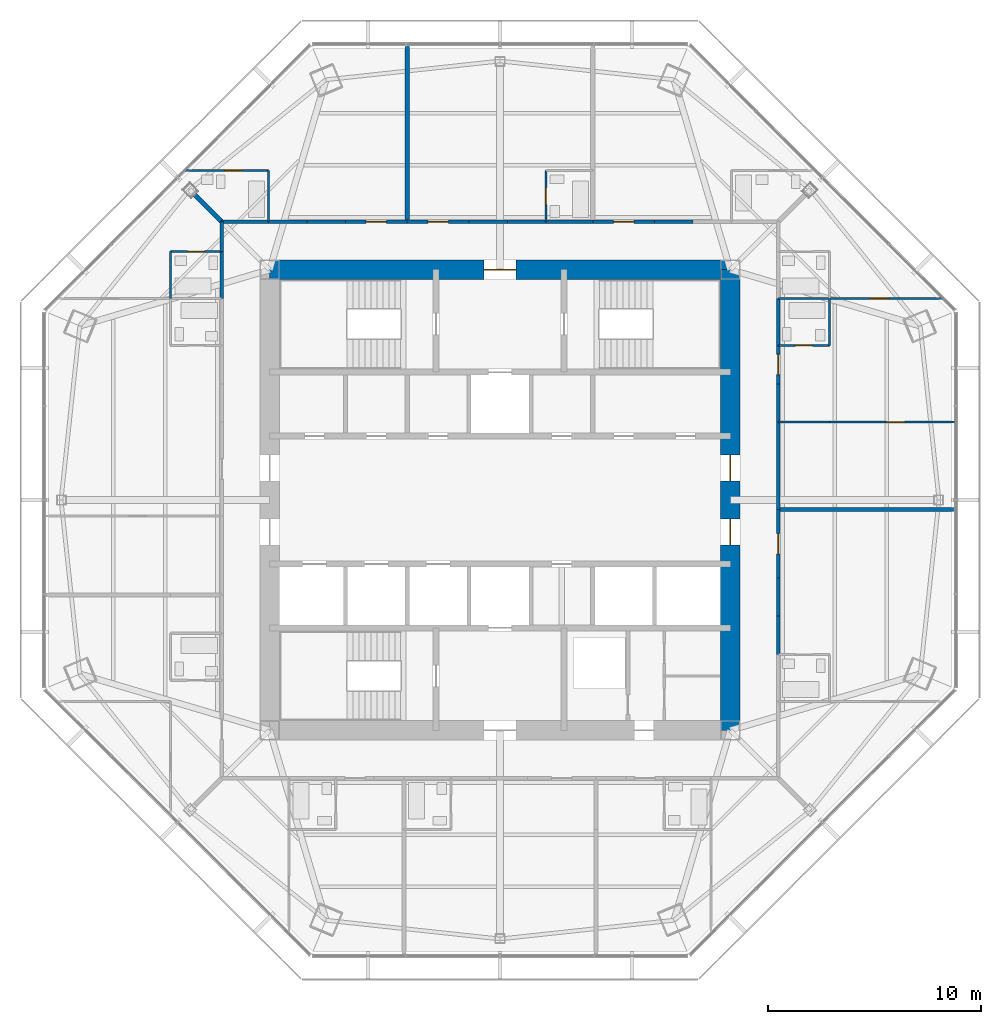
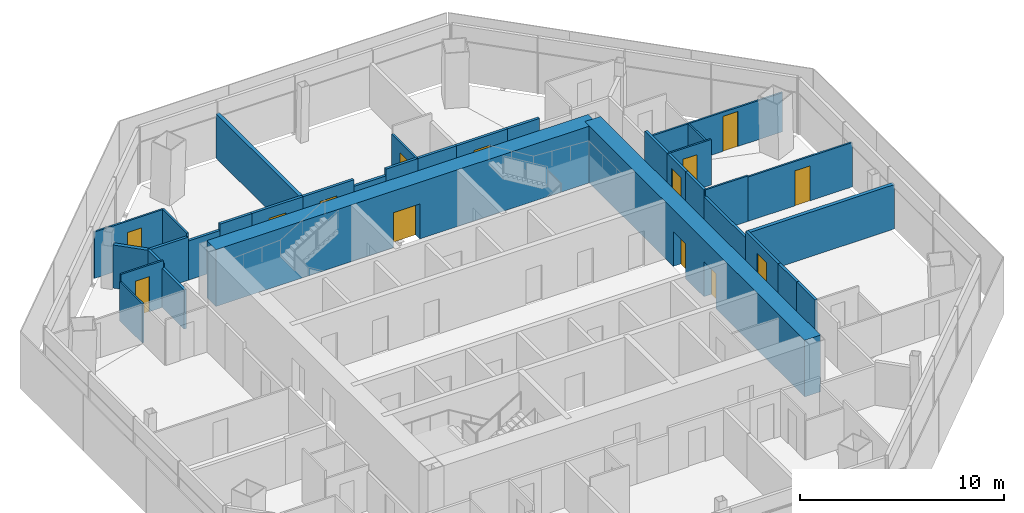
# One storey, part 12 of 15: 35 walls, 14 doors, 14 openings.
"""IFC4 building model written with IfcOpenShell, lengths in metres."""

from ifc_helpers import new_model, si_unit, direction, frame, frame_2d, origin, place, context, subcontext, project, spatial, rectangle, extrude, material, layer, layer_set, type_object, element, fill, save


model = new_model("IFC4")

# Units and contexts
model_context = context("Model", 3, precision=1e-05, world=origin(), true_north=direction((0.0, 1.0)))
body_context = subcontext(model_context, "Body", "Model", "MODEL_VIEW")
ifc_project = project(units=[si_unit("LENGTHUNIT", "METRE"), si_unit("AREAUNIT", "SQUARE_METRE"), si_unit("VOLUMEUNIT", "CUBIC_METRE"), si_unit("PLANEANGLEUNIT", "RADIAN"), si_unit("MASSUNIT", "GRAM", prefix="KILO")], contexts=[model_context])

# Site, building, storey
site_placement = place(None, origin())
site = spatial("IfcSite", under=ifc_project, at=site_placement, CompositionType="ELEMENT")
building_placement = place(site_placement, origin())
building = spatial("IfcBuilding", under=site, at=building_placement, Name="Mashrafa Tower", CompositionType="ELEMENT")
storey_placement = place(building_placement, frame((0.0, 0.0, 234.60009765625)))
storey = spatial("IfcBuildingStorey", under=building, at=storey_placement, Name="L55", CompositionType="ELEMENT", Elevation=234.60009765625)

# Walls
ifc_material_1 = material(Name="Gypsum board on steel studs", Category="steel")
ifc_layer_1 = layer(ifc_material_1, 0.199951171875)
ifc_layer_set_1 = layer_set([ifc_layer_1], Name="Acoustic partition 200 1 hr")
wall_type_1 = type_object("IfcWallType", Name="Acoustic partition 200 1 hr", PredefinedType="PARTITIONING", material=ifc_layer_set_1)
for number, where, z_axis, x_axis, name in (
    (1, (21.360107421875, -0.449951171875, 0.0), (0.0, 0.0, 1.0), (-1.0, 0.0, 0.0), "Acoustic wall L55-051"),
    (2, (-4.35009765625, 21.360107421875, 0.0), (0.0, 0.0, 1.0), (0.0, -1.0, 0.0), "Acoustic wall L55-067"),
):
    element("IfcWall", number, at=place(storey_placement, frame(where, z_axis=z_axis, x_axis=x_axis)), inside=storey, type_object=wall_type_1, Name=name, PredefinedType="PARTITIONING", context=body_context, shape_type="SweptSolid", body=[
        extrude(rectangle(XDim=8.31005859375, YDim=0.199951171875, at=frame_2d((4.155029296875, 0.0))), origin(), (0.0, 0.0, 1.0), 2.66162109375),
    ])
wall_1_placement = place(storey_placement, frame((-14.310302734375, 14.310302734375, 0.0), z_axis=(0.0, 0.0, 1.0), x_axis=(0.707106781187, -0.707106781187, 0.0)))
element("IfcWall", 3, at=wall_1_placement, inside=storey, type_object=wall_type_1, Name="Acoustic wall L55-070", PredefinedType="PARTITIONING", context=body_context, shape_type="SweptSolid", body=[
    extrude(rectangle(XDim=1.7822265625, YDim=0.199951171875, at=frame_2d((0.89111328125, 0.0))), origin(), (0.0, 0.0, 1.0), 2.582763671875),
])

# Wall, openings, doors
ifc_material_2 = material(Name="Concrete C50/60", Category="concrete")
ifc_layer_2 = layer(ifc_material_2, 0.89990234375)
ifc_layer_set_2 = layer_set([ifc_layer_2], Name="Core wall 900 C50/60")
wall_type_2 = type_object("IfcWallType", Name="Core wall 900 C50/60", PredefinedType="SOLIDWALL", material=ifc_layer_set_2)
wall_2_placement = place(storey_placement, frame((10.800048828125, -10.800048828125, 0.0), z_axis=(0.0, 0.0, 1.0), x_axis=(0.0, 1.0, 0.0)))
wall_2 = element("IfcWall", 4, at=wall_2_placement, inside=storey, type_object=wall_type_2, Name="Core wall CW-E L55", PredefinedType="SOLIDWALL", context=body_context, shape_type="SweptSolid", body=[
    extrude(rectangle(XDim=21.60009765625, YDim=0.89990234375, at=frame_2d((10.800048828125, 0.0))), origin(), (0.0, 0.0, 1.0), 3.39990234375),
])
opening_1_placement = place(wall_2_placement, frame((11.699951171875, 0.0, 0.0)))
opening_1 = element("IfcOpeningElement", 5, at=opening_1_placement, cuts=wall_2, Name="Opening 55.031", PredefinedType="OPENING", context=body_context, shape_type="SweptSolid", body=[
    extrude(rectangle(XDim=1.199951171875, YDim=2.10009765625, at=frame_2d((0.60009765625, 1.050048828125))), frame((0.0, 0.4599609375, 0.0), z_axis=(0.0, -1.0, 0.0), x_axis=(1.0, 0.0, 0.0)), (0.0, 0.0, 1.0), 0.919921875),
])
opening_2_placement = place(wall_2_placement, frame((8.699951171875, 0.0, 0.0)))
opening_2 = element("IfcOpeningElement", 6, at=opening_2_placement, cuts=wall_2, Name="Opening 55.033", PredefinedType="OPENING", context=body_context, shape_type="SweptSolid", body=[
    extrude(rectangle(XDim=1.199951171875, YDim=2.10009765625, at=frame_2d((0.60009765625, 1.050048828125))), frame((0.0, 0.4599609375, 0.0), z_axis=(0.0, -1.0, 0.0), x_axis=(1.0, 0.0, 0.0)), (0.0, 0.0, 1.0), 0.919921875),
])
ifc_material_3 = material(Name="Steel door", Category="steel")
door_type_1 = type_object("IfcDoorType", Name="Lift hall door 1200 x 2100 90 min", OperationType="USERDEFINED", PredefinedType="DOOR", material=ifc_material_3)
door_1_placement = place(opening_1_placement, frame((1.199951171875, 0.0, 0.0), z_axis=(0.0, 0.0, 1.0), x_axis=(-1.0, 0.0, 0.0)))
door_1 = element("IfcDoor", 7, at=door_1_placement, inside=storey, type_object=door_type_1, Name="Lift hall door east L55", OperationType="SINGLE_SWING_LEFT", OverallHeight=2.10009765625, OverallWidth=1.199951171875, PredefinedType="DOOR", context=body_context, shape_type="SweptSolid", body=[
    extrude(rectangle(XDim=1.199951171875, YDim=2.10009765625, at=frame_2d((0.60009765625, 1.050048828125))), frame((0.0, 0.02490234375, 0.0), z_axis=(0.0, -1.0, 0.0), x_axis=(1.0, 0.0, 0.0)), (0.0, 0.0, 1.0), 0.050048828125),
])
fill(opening_1, door_1)
door_2_placement = place(opening_2_placement, frame((1.199951171875, 0.0, 0.0), z_axis=(0.0, 0.0, 1.0), x_axis=(-1.0, 0.0, 0.0)))
door_2 = element("IfcDoor", 8, at=door_2_placement, inside=storey, type_object=door_type_1, Name="Lift hall door east L55", OperationType="SINGLE_SWING_RIGHT", OverallHeight=2.10009765625, OverallWidth=1.199951171875, PredefinedType="DOOR", context=body_context, shape_type="SweptSolid", body=[
    extrude(rectangle(XDim=1.199951171875, YDim=2.10009765625, at=frame_2d((0.60009765625, 1.050048828125))), frame((0.0, 0.02490234375, 0.0), z_axis=(0.0, -1.0, 0.0), x_axis=(1.0, 0.0, 0.0)), (0.0, 0.0, 1.0), 0.050048828125),
])
fill(opening_2, door_2)

# Wall, opening, door
wall_3_placement = place(storey_placement, frame((10.800048828125, 10.800048828125, 0.0), z_axis=(0.0, 0.0, 1.0), x_axis=(-1.0, 0.0, 0.0)))
wall_3 = element("IfcWall", 9, at=wall_3_placement, inside=storey, type_object=wall_type_2, Name="Core wall CW-N L55", PredefinedType="SOLIDWALL", context=body_context, shape_type="SweptSolid", body=[
    extrude(rectangle(XDim=21.60009765625, YDim=0.89990234375, at=frame_2d((10.800048828125, 0.0))), origin(), (0.0, 0.0, 1.0), 3.39990234375),
])
opening_3_placement = place(wall_3_placement, frame((10.050048828125, 0.0, 0.0)))
opening_3 = element("IfcOpeningElement", 10, at=opening_3_placement, cuts=wall_3, Name="Opening 55.035", PredefinedType="OPENING", context=body_context, shape_type="SweptSolid", body=[
    extrude(rectangle(XDim=1.5, YDim=2.10009765625, at=frame_2d((0.75, 1.050048828125))), frame((0.0, 0.4599609375, 0.0), z_axis=(0.0, -1.0, 0.0), x_axis=(1.0, 0.0, 0.0)), (0.0, 0.0, 1.0), 0.919921875),
])
ifc_material_4 = material(Name="Steel door", Category="steel")
door_type_2 = type_object("IfcDoorType", Name="Lobby door pair 1500 x 2100 90 min", OperationType="DOUBLE_DOOR_SINGLE_SWING", PredefinedType="DOOR", material=ifc_material_4)
door_3_placement = place(opening_3_placement, origin())
door_3 = element("IfcDoor", 11, at=door_3_placement, inside=storey, type_object=door_type_2, Name="Fire-fighting lobby F1 door L55", OperationType="DOUBLE_DOOR_SINGLE_SWING", OverallHeight=2.10009765625, OverallWidth=1.5, PredefinedType="DOOR", context=body_context, shape_type="SweptSolid", body=[
    extrude(rectangle(XDim=1.5, YDim=2.10009765625, at=frame_2d((0.75, 1.050048828125))), frame((0.0, 0.02490234375, 0.0), z_axis=(0.0, -1.0, 0.0), x_axis=(1.0, 0.0, 0.0)), (0.0, 0.0, 1.0), 0.050048828125),
])
fill(opening_3, door_3)

# Walls
ifc_material_5 = material(Name="Gypsum board on steel studs", Category="steel")
ifc_layer_3 = layer(ifc_material_5, 0.14990234375)
ifc_layer_set_3 = layer_set([ifc_layer_3], Name="Corridor partition 150 1 hr")
wall_type_3 = type_object("IfcWallType", Name="Corridor partition 150 1 hr", PredefinedType="PARTITIONING", material=ifc_layer_set_3)
for number, where, z_axis, x_axis, name in (
    (12, (13.050048828125, -5.450927734375, 0.0), (0.0, 0.0, 1.0), (0.0, 1.0, 0.0), "Corridor wall L55-003"),
    (13, (13.050048828125, -7.2509765625, 0.0), (0.0, 0.0, 1.0), (0.0, 1.0, 0.0), "Corridor wall L55-004"),
):
    element("IfcWall", number, at=place(storey_placement, frame(where, z_axis=z_axis, x_axis=x_axis)), inside=storey, type_object=wall_type_3, Name=name, PredefinedType="PARTITIONING", context=body_context, shape_type="SweptSolid", body=[
        extrude(rectangle(XDim=1.802001953125, YDim=0.14990234375, at=frame_2d((0.90087890625, 0.0))), origin(), (0.0, 0.0, 1.0), 2.730224609375),
    ])

# Wall, opening, door
wall_4_placement = place(storey_placement, frame((13.050048828125, -3.65087890625, 0.0), z_axis=(0.0, 0.0, 1.0), x_axis=(0.0, 1.0, 0.0)))
wall_4 = element("IfcWall", 14, at=wall_4_placement, inside=storey, type_object=wall_type_3, Name="Corridor wall L55-005", PredefinedType="PARTITIONING", context=body_context, shape_type="SweptSolid", body=[
    extrude(rectangle(XDim=3.201904296875, YDim=0.14990234375, at=frame_2d((1.60107421875, 0.0))), origin(), (0.0, 0.0, 1.0), 2.730224609375),
])
opening_4_placement = place(wall_4_placement, frame((1.1259765625, 0.0, 0.0)))
opening_4 = element("IfcOpeningElement", 15, at=opening_4_placement, cuts=wall_4, Name="Opening 55.003", PredefinedType="OPENING", context=body_context, shape_type="SweptSolid", body=[
    extrude(rectangle(XDim=0.949951171875, YDim=2.10009765625, at=frame_2d((0.47509765625, 1.050048828125))), frame((0.0, 0.0849609375, 0.0), z_axis=(0.0, -1.0, 0.0), x_axis=(1.0, 0.0, 0.0)), (0.0, 0.0, 1.0), 0.169921875),
])
ifc_material_6 = material(Name="Steel door", Category="steel")
door_type_3 = type_object("IfcDoorType", Name="Residence entrance door 950 x 2100 20 min", OperationType="USERDEFINED", PredefinedType="DOOR", material=ifc_material_6)
door_4_placement = place(opening_4_placement, frame((0.949951171875, 0.0, 0.0), z_axis=(0.0, 0.0, 1.0), x_axis=(-1.0, 0.0, 0.0)))
door_4 = element("IfcDoor", 16, at=door_4_placement, inside=storey, type_object=door_type_3, Name="Apartment 5501 Living Room door", OperationType="SINGLE_SWING_LEFT", OverallHeight=2.10009765625, OverallWidth=0.949951171875, PredefinedType="DOOR", context=body_context, shape_type="SweptSolid", body=[
    extrude(rectangle(XDim=0.949951171875, YDim=2.10009765625, at=frame_2d((0.47509765625, 1.050048828125))), frame((0.0, 0.02490234375, 0.0), z_axis=(0.0, -1.0, 0.0), x_axis=(1.0, 0.0, 0.0)), (0.0, 0.0, 1.0), 0.050048828125),
])
fill(opening_4, door_4)

# Walls
wall_5_placement = place(storey_placement, frame((13.050048828125, 7.2490234375, 0.0), z_axis=(0.0, 0.0, 1.0), x_axis=(0.0, 1.0, 0.0)))
element("IfcWall", 17, at=wall_5_placement, inside=storey, type_object=wall_type_3, Name="Corridor wall L55-008", PredefinedType="PARTITIONING", context=body_context, shape_type="SweptSolid", body=[
    extrude(rectangle(XDim=2.201904296875, YDim=0.14990234375, at=frame_2d((1.10107421875, 0.0))), origin(), (0.0, 0.0, 1.0), 2.730224609375),
])
wall_6_placement = place(storey_placement, frame((13.050048828125, 3.64892578125, 0.0), z_axis=(0.0, 0.0, 1.0), x_axis=(0.0, 1.0, 0.0)))
element("IfcWall", 18, at=wall_6_placement, inside=storey, type_object=wall_type_3, Name="Corridor wall L55-009", PredefinedType="PARTITIONING", context=body_context, shape_type="SweptSolid", body=[
    extrude(rectangle(XDim=1.802001953125, YDim=0.14990234375, at=frame_2d((0.90087890625, 0.0))), origin(), (0.0, 0.0, 1.0), 2.730224609375),
])
wall_7_placement = place(storey_placement, frame((13.050048828125, -0.450927734375, 0.0), z_axis=(0.0, 0.0, 1.0), x_axis=(0.0, 1.0, 0.0)))
element("IfcWall", 19, at=wall_7_placement, inside=storey, type_object=wall_type_3, Name="Corridor wall L55-010", PredefinedType="PARTITIONING", context=body_context, shape_type="SweptSolid", body=[
    extrude(rectangle(XDim=4.101806640625, YDim=0.14990234375, at=frame_2d((2.05078125, 0.0))), origin(), (0.0, 0.0, 1.0), 2.331298828125),
])

# Wall, opening, door
wall_8_placement = place(storey_placement, frame((13.050048828125, 5.448974609375, 0.0), z_axis=(0.0, 0.0, 1.0), x_axis=(0.0, 1.0, 0.0)))
wall_8 = element("IfcWall", 20, at=wall_8_placement, inside=storey, type_object=wall_type_3, Name="Corridor wall L55-011", PredefinedType="PARTITIONING", context=body_context, shape_type="SweptSolid", body=[
    extrude(rectangle(XDim=1.802001953125, YDim=0.14990234375, at=frame_2d((0.90087890625, 0.0))), origin(), (0.0, 0.0, 1.0), 2.730224609375),
])
opening_5_placement = place(wall_8_placement, frame((0.426025390625, 0.0, 0.0)))
opening_5 = element("IfcOpeningElement", 21, at=opening_5_placement, cuts=wall_8, Name="Opening 55.008", PredefinedType="OPENING", context=body_context, shape_type="SweptSolid", body=[
    extrude(rectangle(XDim=0.949951171875, YDim=2.10009765625, at=frame_2d((0.47509765625, 1.050048828125))), frame((0.0, 0.0849609375, 0.0), z_axis=(0.0, -1.0, 0.0), x_axis=(1.0, 0.0, 0.0)), (0.0, 0.0, 1.0), 0.169921875),
])
door_5_placement = place(opening_5_placement, frame((0.949951171875, 0.0, 0.0), z_axis=(0.0, 0.0, 1.0), x_axis=(-1.0, 0.0, 0.0)))
door_5 = element("IfcDoor", 22, at=door_5_placement, inside=storey, type_object=door_type_3, Name="Apartment 5502 Living Room door", OperationType="SINGLE_SWING_RIGHT", OverallHeight=2.10009765625, OverallWidth=0.949951171875, PredefinedType="DOOR", context=body_context, shape_type="SweptSolid", body=[
    extrude(rectangle(XDim=0.949951171875, YDim=2.10009765625, at=frame_2d((0.47509765625, 1.050048828125))), frame((0.0, 0.02490234375, 0.0), z_axis=(0.0, -1.0, 0.0), x_axis=(1.0, 0.0, 0.0)), (0.0, 0.0, 1.0), 0.050048828125),
])
fill(opening_5, door_5)

# Wall
wall_9_placement = place(storey_placement, frame((9.051025390625, 13.050048828125, 0.0), z_axis=(0.0, 0.0, 1.0), x_axis=(-1.0, 0.0, 0.0)))
element("IfcWall", 23, at=wall_9_placement, inside=storey, type_object=wall_type_3, Name="Corridor wall L55-013", PredefinedType="PARTITIONING", context=body_context, shape_type="SweptSolid", body=[
    extrude(rectangle(XDim=1.802001953125, YDim=0.14990234375, at=frame_2d((0.90087890625, 0.0))), origin(), (0.0, 0.0, 1.0), 2.730224609375),
])

# Wall, opening, door
wall_10_placement = place(storey_placement, frame((7.2509765625, 13.050048828125, 0.0), z_axis=(0.0, 0.0, 1.0), x_axis=(-1.0, 0.0, 0.0)))
wall_10 = element("IfcWall", 24, at=wall_10_placement, inside=storey, type_object=wall_type_3, Name="Corridor wall L55-014", PredefinedType="PARTITIONING", context=body_context, shape_type="SweptSolid", body=[
    extrude(rectangle(XDim=2.90185546875, YDim=0.14990234375, at=frame_2d((1.450927734375, 0.0))), origin(), (0.0, 0.0, 1.0), 2.730224609375),
])
opening_6_placement = place(wall_10_placement, frame((0.97607421875, 0.0, 0.0)))
opening_6 = element("IfcOpeningElement", 25, at=opening_6_placement, cuts=wall_10, Name="Opening 55.010", PredefinedType="OPENING", context=body_context, shape_type="SweptSolid", body=[
    extrude(rectangle(XDim=0.949951171875, YDim=2.10009765625, at=frame_2d((0.47509765625, 1.050048828125))), frame((0.0, 0.0849609375, 0.0), z_axis=(0.0, -1.0, 0.0), x_axis=(1.0, 0.0, 0.0)), (0.0, 0.0, 1.0), 0.169921875),
])
door_6_placement = place(opening_6_placement, frame((0.949951171875, 0.0, 0.0), z_axis=(0.0, 0.0, 1.0), x_axis=(-1.0, 0.0, 0.0)))
door_6 = element("IfcDoor", 26, at=door_6_placement, inside=storey, type_object=door_type_3, Name="Apartment 5503 Studio Living Room door", OperationType="SINGLE_SWING_LEFT", OverallHeight=2.10009765625, OverallWidth=0.949951171875, PredefinedType="DOOR", context=body_context, shape_type="SweptSolid", body=[
    extrude(rectangle(XDim=0.949951171875, YDim=2.10009765625, at=frame_2d((0.47509765625, 1.050048828125))), frame((0.0, 0.02490234375, 0.0), z_axis=(0.0, -1.0, 0.0), x_axis=(1.0, 0.0, 0.0)), (0.0, 0.0, 1.0), 0.050048828125),
])
fill(opening_6, door_6)

# Walls
wall_11_placement = place(storey_placement, frame((4.35107421875, 13.050048828125, 0.0), z_axis=(0.0, 0.0, 1.0), x_axis=(-1.0, 0.0, 0.0)))
element("IfcWall", 27, at=wall_11_placement, inside=storey, type_object=wall_type_3, Name="Corridor wall L55-016", PredefinedType="PARTITIONING", context=body_context, shape_type="SweptSolid", body=[
    extrude(rectangle(XDim=2.2021484375, YDim=0.14990234375, at=frame_2d((1.10107421875, 0.0))), origin(), (0.0, 0.0, 1.0), 2.730224609375),
])
wall_12_placement = place(storey_placement, frame((0.35107421875, 13.050048828125, 0.0), z_axis=(0.0, 0.0, 1.0), x_axis=(-1.0, 0.0, 0.0)))
element("IfcWall", 28, at=wall_12_placement, inside=storey, type_object=wall_type_3, Name="Corridor wall L55-017", PredefinedType="PARTITIONING", context=body_context, shape_type="SweptSolid", body=[
    extrude(rectangle(XDim=1.802001953125, YDim=0.14990234375, at=frame_2d((0.90087890625, 0.0))), origin(), (0.0, 0.0, 1.0), 2.331298828125),
])

# Wall, opening, door
wall_13_placement = place(storey_placement, frame((-1.448974609375, 13.050048828125, 0.0), z_axis=(0.0, 0.0, 1.0), x_axis=(-1.0, 0.0, 0.0)))
wall_13 = element("IfcWall", 29, at=wall_13_placement, inside=storey, type_object=wall_type_3, Name="Corridor wall L55-018", PredefinedType="PARTITIONING", context=body_context, shape_type="SweptSolid", body=[
    extrude(rectangle(XDim=2.902099609375, YDim=0.14990234375, at=frame_2d((1.451171875, 0.0))), origin(), (0.0, 0.0, 1.0), 2.730224609375),
])
opening_7_placement = place(wall_13_placement, frame((0.97607421875, 0.0, 0.0)))
opening_7 = element("IfcOpeningElement", 30, at=opening_7_placement, cuts=wall_13, Name="Opening 55.012", PredefinedType="OPENING", context=body_context, shape_type="SweptSolid", body=[
    extrude(rectangle(XDim=0.949951171875, YDim=2.10009765625, at=frame_2d((0.47509765625, 1.050048828125))), frame((0.0, 0.0849609375, 0.0), z_axis=(0.0, -1.0, 0.0), x_axis=(1.0, 0.0, 0.0)), (0.0, 0.0, 1.0), 0.169921875),
])
door_7_placement = place(opening_7_placement, frame((0.949951171875, 0.0, 0.0), z_axis=(0.0, 0.0, 1.0), x_axis=(-1.0, 0.0, 0.0)))
door_7 = element("IfcDoor", 31, at=door_7_placement, inside=storey, type_object=door_type_3, Name="Apartment 5504 Studio Living Room door", OperationType="SINGLE_SWING_LEFT", OverallHeight=2.10009765625, OverallWidth=0.949951171875, PredefinedType="DOOR", context=body_context, shape_type="SweptSolid", body=[
    extrude(rectangle(XDim=0.949951171875, YDim=2.10009765625, at=frame_2d((0.47509765625, 1.050048828125))), frame((0.0, 0.02490234375, 0.0), z_axis=(0.0, -1.0, 0.0), x_axis=(1.0, 0.0, 0.0)), (0.0, 0.0, 1.0), 0.050048828125),
])
fill(opening_7, door_7)

# Walls
wall_14_placement = place(storey_placement, frame((2.15087890625, 13.050048828125, 0.0), z_axis=(0.0, 0.0, 1.0), x_axis=(-1.0, 0.0, 0.0)))
element("IfcWall", 32, at=wall_14_placement, inside=storey, type_object=wall_type_3, Name="Corridor wall L55-019", PredefinedType="PARTITIONING", context=body_context, shape_type="SweptSolid", body=[
    extrude(rectangle(XDim=1.8017578125, YDim=0.14990234375, at=frame_2d((0.90087890625, 0.0))), origin(), (0.0, 0.0, 1.0), 2.730224609375),
])
wall_15_placement = place(storey_placement, frame((-10.84912109375, 13.050048828125, 0.0), z_axis=(0.0, 0.0, 1.0), x_axis=(-1.0, 0.0, 0.0)))
element("IfcWall", 33, at=wall_15_placement, inside=storey, type_object=wall_type_3, Name="Corridor wall L55-020", PredefinedType="PARTITIONING", context=body_context, shape_type="SweptSolid", body=[
    extrude(rectangle(XDim=2.200927734375, YDim=0.14990234375, at=frame_2d((1.1005859375, 0.0))), origin(), (0.0, 0.0, 1.0), 2.582763671875),
])
wall_16_placement = place(storey_placement, frame((-7.2490234375, 13.050048828125, 0.0), z_axis=(0.0, 0.0, 1.0), x_axis=(-1.0, 0.0, 0.0)))
element("IfcWall", 34, at=wall_16_placement, inside=storey, type_object=wall_type_3, Name="Corridor wall L55-021", PredefinedType="PARTITIONING", context=body_context, shape_type="SweptSolid", body=[
    extrude(rectangle(XDim=1.802001953125, YDim=0.14990234375, at=frame_2d((0.90087890625, 0.0))), origin(), (0.0, 0.0, 1.0), 2.730224609375),
])
wall_17_placement = place(storey_placement, frame((-9.049072265625, 13.050048828125, 0.0), z_axis=(0.0, 0.0, 1.0), x_axis=(-1.0, 0.0, 0.0)))
element("IfcWall", 35, at=wall_17_placement, inside=storey, type_object=wall_type_3, Name="Corridor wall L55-022", PredefinedType="PARTITIONING", context=body_context, shape_type="SweptSolid", body=[
    extrude(rectangle(XDim=1.802001953125, YDim=0.14990234375, at=frame_2d((0.90087890625, 0.0))), origin(), (0.0, 0.0, 1.0), 2.343994140625),
])

# Wall, opening, door
wall_18_placement = place(storey_placement, frame((-4.34912109375, 13.050048828125, 0.0), z_axis=(0.0, 0.0, 1.0), x_axis=(-1.0, 0.0, 0.0)))
wall_18 = element("IfcWall", 36, at=wall_18_placement, inside=storey, type_object=wall_type_3, Name="Corridor wall L55-023", PredefinedType="PARTITIONING", context=body_context, shape_type="SweptSolid", body=[
    extrude(rectangle(XDim=2.90185546875, YDim=0.14990234375, at=frame_2d((1.450927734375, 0.0))), origin(), (0.0, 0.0, 1.0), 2.730224609375),
])
opening_8_placement = place(wall_18_placement, frame((0.97607421875, 0.0, 0.0)))
opening_8 = element("IfcOpeningElement", 37, at=opening_8_placement, cuts=wall_18, Name="Opening 55.014", PredefinedType="OPENING", context=body_context, shape_type="SweptSolid", body=[
    extrude(rectangle(XDim=0.949951171875, YDim=2.10009765625, at=frame_2d((0.47509765625, 1.050048828125))), frame((0.0, 0.0849609375, 0.0), z_axis=(0.0, -1.0, 0.0), x_axis=(1.0, 0.0, 0.0)), (0.0, 0.0, 1.0), 0.169921875),
])
door_8_placement = place(opening_8_placement, frame((0.949951171875, 0.0, 0.0), z_axis=(0.0, 0.0, 1.0), x_axis=(-1.0, 0.0, 0.0)))
door_8 = element("IfcDoor", 38, at=door_8_placement, inside=storey, type_object=door_type_3, Name="Apartment 5505 Studio Living Room door", OperationType="SINGLE_SWING_RIGHT", OverallHeight=2.10009765625, OverallWidth=0.949951171875, PredefinedType="DOOR", context=body_context, shape_type="SweptSolid", body=[
    extrude(rectangle(XDim=0.949951171875, YDim=2.10009765625, at=frame_2d((0.47509765625, 1.050048828125))), frame((0.0, 0.02490234375, 0.0), z_axis=(0.0, -1.0, 0.0), x_axis=(1.0, 0.0, 0.0)), (0.0, 0.0, 1.0), 0.050048828125),
])
fill(opening_8, door_8)

# Walls
wall_19_placement = place(storey_placement, frame((-13.050048828125, 11.65087890625, 0.0), z_axis=(0.0, 0.0, 1.0), x_axis=(0.0, -1.0, 0.0)))
element("IfcWall", 39, at=wall_19_placement, inside=storey, type_object=wall_type_3, Name="Corridor wall L55-024", PredefinedType="PARTITIONING", context=body_context, shape_type="SweptSolid", body=[
    extrude(rectangle(XDim=2.201904296875, YDim=0.14990234375, at=frame_2d((1.10107421875, 0.0))), origin(), (0.0, 0.0, 1.0), 2.343994140625),
])
wall_20_placement = place(storey_placement, frame((-13.050048828125, 13.050048828125, 0.0), z_axis=(0.0, 0.0, 1.0), x_axis=(0.0, -1.0, 0.0)))
element("IfcWall", 40, at=wall_20_placement, inside=storey, type_object=wall_type_3, Name="Corridor wall L55-025", PredefinedType="PARTITIONING", context=body_context, shape_type="SweptSolid", body=[
    extrude(rectangle(XDim=1.401123046875, YDim=0.14990234375, at=frame_2d((0.70068359375, 0.0))), origin(), (0.0, 0.0, 1.0), 2.582763671875),
])
ifc_material_7 = material(Name="Gypsum board on steel studs", Category="steel")
ifc_layer_4 = layer(ifc_material_7, 0.10009765625)
ifc_layer_set_4 = layer_set([ifc_layer_4], Name="Partition 100")
wall_type_4 = type_object("IfcWallType", Name="Partition 100", PredefinedType="PARTITIONING", material=ifc_layer_set_4)
wall_21_placement = place(storey_placement, frame((13.050048828125, 9.449951171875, 0.0), z_axis=(0.0, 0.0, 1.0), x_axis=(1.0, 0.0, 0.0)))
element("IfcWall", 41, at=wall_21_placement, inside=storey, type_object=wall_type_4, Name="Partition wall L55-054", PredefinedType="PARTITIONING", context=body_context, shape_type="SweptSolid", body=[
    extrude(rectangle(XDim=2.39990234375, YDim=0.10009765625, at=frame_2d((1.199951171875, 0.0))), origin(), (0.0, 0.0, 1.0), 2.343994140625),
])

# Wall, opening, door
wall_22_placement = place(storey_placement, frame((15.449951171875, 9.449951171875, 0.0), z_axis=(0.0, 0.0, 1.0), x_axis=(1.0, 0.0, 0.0)))
wall_22 = element("IfcWall", 42, at=wall_22_placement, inside=storey, type_object=wall_type_4, Name="Partition wall L55-055", PredefinedType="PARTITIONING", context=body_context, shape_type="SweptSolid", body=[
    extrude(rectangle(XDim=5.311767578125, YDim=0.10009765625, at=frame_2d((2.65576171875, 0.0))), origin(), (0.0, 0.0, 1.0), 2.343994140625),
])
opening_9_placement = place(wall_22_placement, frame((1.923583984375, 0.0, 0.0)))
opening_9 = element("IfcOpeningElement", 43, at=opening_9_placement, cuts=wall_22, Name="Opening 55.005", PredefinedType="OPENING", context=body_context, shape_type="SweptSolid", body=[
    extrude(rectangle(XDim=0.85009765625, YDim=2.10009765625, at=frame_2d((0.425048828125, 1.050048828125))), frame((0.0, 0.06005859375, 0.0), z_axis=(0.0, -1.0, 0.0), x_axis=(1.0, 0.0, 0.0)), (0.0, 0.0, 1.0), 0.1201171875),
])
ifc_material_8 = material(Name="Timber door", Category="wood")
door_type_4 = type_object("IfcDoorType", Name="Bedroom door 850 x 2100", OperationType="USERDEFINED", PredefinedType="DOOR", material=ifc_material_8)
door_9_placement = place(opening_9_placement, origin())
door_9 = element("IfcDoor", 44, at=door_9_placement, inside=storey, type_object=door_type_4, Name="Apartment 5502 Bedroom 1 door", OperationType="SINGLE_SWING_RIGHT", OverallHeight=2.10009765625, OverallWidth=0.85009765625, PredefinedType="DOOR", context=body_context, shape_type="SweptSolid", body=[
    extrude(rectangle(XDim=0.85009765625, YDim=2.10009765625, at=frame_2d((0.425048828125, 1.050048828125))), frame((0.0, 0.02490234375, 0.0), z_axis=(0.0, -1.0, 0.0), x_axis=(1.0, 0.0, 0.0)), (0.0, 0.0, 1.0), 0.050048828125),
])
fill(opening_9, door_9)

wall_23_placement = place(storey_placement, frame((13.050048828125, 7.25, 0.0), z_axis=(0.0, 0.0, 1.0), x_axis=(1.0, 0.0, 0.0)))
wall_23 = element("IfcWall", 45, at=wall_23_placement, inside=storey, type_object=wall_type_4, Name="Partition wall L55-057", PredefinedType="PARTITIONING", context=body_context, shape_type="SweptSolid", body=[
    extrude(rectangle(XDim=2.39990234375, YDim=0.10009765625, at=frame_2d((1.199951171875, 0.0))), origin(), (0.0, 0.0, 1.0), 2.730224609375),
])
opening_10_placement = place(wall_23_placement, frame((0.800048828125, 0.0, 0.0)))
opening_10 = element("IfcOpeningElement", 46, at=opening_10_placement, cuts=wall_23, Name="Opening 55.006", PredefinedType="OPENING", context=body_context, shape_type="SweptSolid", body=[
    extrude(rectangle(XDim=0.800048828125, YDim=2.10009765625, at=frame_2d((0.39990234375, 1.050048828125))), frame((0.0, 0.06005859375, 0.0), z_axis=(0.0, -1.0, 0.0), x_axis=(1.0, 0.0, 0.0)), (0.0, 0.0, 1.0), 0.1201171875),
])
ifc_material_9 = material(Name="Timber door", Category="wood")
door_type_5 = type_object("IfcDoorType", Name="Bathroom door 800 x 2100", OperationType="USERDEFINED", PredefinedType="DOOR", material=ifc_material_9)
door_10_placement = place(opening_10_placement, origin())
door_10 = element("IfcDoor", 47, at=door_10_placement, inside=storey, type_object=door_type_5, Name="Apartment 5502 Bathroom door", OperationType="SINGLE_SWING_LEFT", OverallHeight=2.10009765625, OverallWidth=0.800048828125, PredefinedType="DOOR", context=body_context, shape_type="SweptSolid", body=[
    extrude(rectangle(XDim=0.800048828125, YDim=2.10009765625, at=frame_2d((0.39990234375, 1.050048828125))), frame((0.0, 0.02490234375, 0.0), z_axis=(0.0, -1.0, 0.0), x_axis=(1.0, 0.0, 0.0)), (0.0, 0.0, 1.0), 0.050048828125),
])
fill(opening_10, door_10)

# Walls
wall_24_placement = place(storey_placement, frame((15.449951171875, 7.25, 0.0), z_axis=(0.0, 0.0, 1.0), x_axis=(0.0, 1.0, 0.0)))
element("IfcWall", 48, at=wall_24_placement, inside=storey, type_object=wall_type_4, Name="Partition wall L55-058", PredefinedType="PARTITIONING", context=body_context, shape_type="SweptSolid", body=[
    extrude(rectangle(XDim=2.199951171875, YDim=0.10009765625, at=frame_2d((1.10009765625, 0.0))), origin(), (0.0, 0.0, 1.0), 2.343994140625),
])
wall_25_placement = place(storey_placement, frame((13.050048828125, 3.64990234375, 0.0), z_axis=(0.0, 0.0, 1.0), x_axis=(1.0, 0.0, 0.0)))
element("IfcWall", 49, at=wall_25_placement, inside=storey, type_object=wall_type_4, Name="Partition wall L55-059", PredefinedType="PARTITIONING", context=body_context, shape_type="SweptSolid", body=[
    extrude(rectangle(XDim=2.39990234375, YDim=0.10009765625, at=frame_2d((1.199951171875, 0.0))), origin(), (0.0, 0.0, 1.0), 2.730224609375),
])

# Wall, opening, door
wall_26_placement = place(storey_placement, frame((21.3623046875, 3.64990234375, 0.0), z_axis=(0.0, 0.0, 1.0), x_axis=(-1.0, 0.0, 0.0)))
wall_26 = element("IfcWall", 50, at=wall_26_placement, inside=storey, type_object=wall_type_4, Name="Partition wall L55-060", PredefinedType="PARTITIONING", context=body_context, shape_type="SweptSolid", body=[
    extrude(rectangle(XDim=5.913330078125, YDim=0.10009765625, at=frame_2d((2.95654296875, 0.0))), origin(), (0.0, 0.0, 1.0), 2.66162109375),
])
opening_11_placement = place(wall_26_placement, frame((2.3935546875, 0.0, 0.0)))
opening_11 = element("IfcOpeningElement", 51, at=opening_11_placement, cuts=wall_26, Name="Opening 55.007", PredefinedType="OPENING", context=body_context, shape_type="SweptSolid", body=[
    extrude(rectangle(XDim=0.85009765625, YDim=2.10009765625, at=frame_2d((0.425048828125, 1.050048828125))), frame((0.0, 0.06005859375, 0.0), z_axis=(0.0, -1.0, 0.0), x_axis=(1.0, 0.0, 0.0)), (0.0, 0.0, 1.0), 0.1201171875),
])
door_11_placement = place(opening_11_placement, origin())
door_11 = element("IfcDoor", 52, at=door_11_placement, inside=storey, type_object=door_type_4, Name="Apartment 5502 Bedroom 2 door", OperationType="SINGLE_SWING_LEFT", OverallHeight=2.10009765625, OverallWidth=0.85009765625, PredefinedType="DOOR", context=body_context, shape_type="SweptSolid", body=[
    extrude(rectangle(XDim=0.85009765625, YDim=2.10009765625, at=frame_2d((0.425048828125, 1.050048828125))), frame((0.0, 0.02490234375, 0.0), z_axis=(0.0, -1.0, 0.0), x_axis=(1.0, 0.0, 0.0)), (0.0, 0.0, 1.0), 0.050048828125),
])
fill(opening_11, door_11)

wall_27_placement = place(storey_placement, frame((2.14990234375, 15.449951171875, 0.0), z_axis=(0.0, 0.0, 1.0), x_axis=(0.0, -1.0, 0.0)))
wall_27 = element("IfcWall", 53, at=wall_27_placement, inside=storey, type_object=wall_type_4, Name="Partition wall L55-066", PredefinedType="PARTITIONING", context=body_context, shape_type="SweptSolid", body=[
    extrude(rectangle(XDim=2.39990234375, YDim=0.10009765625, at=frame_2d((1.199951171875, 0.0))), origin(), (0.0, 0.0, 1.0), 2.730224609375),
])
opening_12_placement = place(wall_27_placement, frame((0.800048828125, 0.0, 0.0)))
opening_12 = element("IfcOpeningElement", 54, at=opening_12_placement, cuts=wall_27, Name="Opening 55.011", PredefinedType="OPENING", context=body_context, shape_type="SweptSolid", body=[
    extrude(rectangle(XDim=0.800048828125, YDim=2.10009765625, at=frame_2d((0.39990234375, 1.050048828125))), frame((0.0, 0.06005859375, 0.0), z_axis=(0.0, -1.0, 0.0), x_axis=(1.0, 0.0, 0.0)), (0.0, 0.0, 1.0), 0.1201171875),
])
door_12_placement = place(opening_12_placement, origin())
door_12 = element("IfcDoor", 55, at=door_12_placement, inside=storey, type_object=door_type_5, Name="Apartment 5504 Bathroom door", OperationType="SINGLE_SWING_RIGHT", OverallHeight=2.10009765625, OverallWidth=0.800048828125, PredefinedType="DOOR", context=body_context, shape_type="SweptSolid", body=[
    extrude(rectangle(XDim=0.800048828125, YDim=2.10009765625, at=frame_2d((0.39990234375, 1.050048828125))), frame((0.0, 0.02490234375, 0.0), z_axis=(0.0, -1.0, 0.0), x_axis=(1.0, 0.0, 0.0)), (0.0, 0.0, 1.0), 0.050048828125),
])
fill(opening_12, door_12)

# Wall
wall_28_placement = place(storey_placement, frame((-10.85009765625, 13.050048828125, 0.0), z_axis=(0.0, 0.0, 1.0), x_axis=(0.0, 1.0, 0.0)))
element("IfcWall", 56, at=wall_28_placement, inside=storey, type_object=wall_type_4, Name="Partition wall L55-068", PredefinedType="PARTITIONING", context=body_context, shape_type="SweptSolid", body=[
    extrude(rectangle(XDim=2.39990234375, YDim=0.10009765625, at=frame_2d((1.199951171875, 0.0))), origin(), (0.0, 0.0, 1.0), 2.785888671875),
])

# Wall, opening, door
wall_29_placement = place(storey_placement, frame((-10.85009765625, 15.449951171875, 0.0), z_axis=(0.0, 0.0, 1.0), x_axis=(-1.0, 0.0, 0.0)))
wall_29 = element("IfcWall", 57, at=wall_29_placement, inside=storey, type_object=wall_type_4, Name="Partition wall L55-069", PredefinedType="PARTITIONING", context=body_context, shape_type="SweptSolid", body=[
    extrude(rectangle(XDim=3.91162109375, YDim=0.10009765625, at=frame_2d((1.955810546875, 0.0))), origin(), (0.0, 0.0, 1.0), 2.783447265625),
])
opening_13_placement = place(wall_29_placement, frame((1.24853515625, 0.0, 0.0)))
opening_13 = element("IfcOpeningElement", 58, at=opening_13_placement, cuts=wall_29, Name="Opening 55.013", PredefinedType="OPENING", context=body_context, shape_type="SweptSolid", body=[
    extrude(rectangle(XDim=0.800048828125, YDim=2.10009765625, at=frame_2d((0.39990234375, 1.050048828125))), frame((0.0, 0.06005859375, 0.0), z_axis=(0.0, -1.0, 0.0), x_axis=(1.0, 0.0, 0.0)), (0.0, 0.0, 1.0), 0.1201171875),
])
door_13_placement = place(opening_13_placement, origin())
door_13 = element("IfcDoor", 59, at=door_13_placement, inside=storey, type_object=door_type_5, Name="Apartment 5505 Bathroom door", OperationType="SINGLE_SWING_LEFT", OverallHeight=2.10009765625, OverallWidth=0.800048828125, PredefinedType="DOOR", context=body_context, shape_type="SweptSolid", body=[
    extrude(rectangle(XDim=0.800048828125, YDim=2.10009765625, at=frame_2d((0.39990234375, 1.050048828125))), frame((0.0, 0.02490234375, 0.0), z_axis=(0.0, -1.0, 0.0), x_axis=(1.0, 0.0, 0.0)), (0.0, 0.0, 1.0), 0.050048828125),
])
fill(opening_13, door_13)

wall_30_placement = place(storey_placement, frame((-13.050048828125, 11.64990234375, 0.0), z_axis=(0.0, 0.0, 1.0), x_axis=(-1.0, 0.0, 0.0)))
wall_30 = element("IfcWall", 60, at=wall_30_placement, inside=storey, type_object=wall_type_4, Name="Partition wall L55-071", PredefinedType="PARTITIONING", context=body_context, shape_type="SweptSolid", body=[
    extrude(rectangle(XDim=2.39990234375, YDim=0.10009765625, at=frame_2d((1.199951171875, 0.0))), origin(), (0.0, 0.0, 1.0), 2.785888671875),
])
opening_14_placement = place(wall_30_placement, frame((0.800048828125, 0.0, 0.0)))
opening_14 = element("IfcOpeningElement", 61, at=opening_14_placement, cuts=wall_30, Name="Opening 55.015", PredefinedType="OPENING", context=body_context, shape_type="SweptSolid", body=[
    extrude(rectangle(XDim=0.800048828125, YDim=2.10009765625, at=frame_2d((0.39990234375, 1.050048828125))), frame((0.0, 0.06005859375, 0.0), z_axis=(0.0, -1.0, 0.0), x_axis=(1.0, 0.0, 0.0)), (0.0, 0.0, 1.0), 0.1201171875),
])
door_14_placement = place(opening_14_placement, origin())
door_14 = element("IfcDoor", 62, at=door_14_placement, inside=storey, type_object=door_type_5, Name="Apartment 5506 En-suite Bathroom door", OperationType="SINGLE_SWING_RIGHT", OverallHeight=2.10009765625, OverallWidth=0.800048828125, PredefinedType="DOOR", context=body_context, shape_type="SweptSolid", body=[
    extrude(rectangle(XDim=0.800048828125, YDim=2.10009765625, at=frame_2d((0.39990234375, 1.050048828125))), frame((0.0, 0.02490234375, 0.0), z_axis=(0.0, -1.0, 0.0), x_axis=(1.0, 0.0, 0.0)), (0.0, 0.0, 1.0), 0.050048828125),
])
fill(opening_14, door_14)

# Wall
wall_31_placement = place(storey_placement, frame((-15.449951171875, 11.64990234375, 0.0), z_axis=(0.0, 0.0, 1.0), x_axis=(0.0, -1.0, 0.0)))
element("IfcWall", 63, at=wall_31_placement, inside=storey, type_object=wall_type_4, Name="Partition wall L55-072", PredefinedType="PARTITIONING", context=body_context, shape_type="SweptSolid", body=[
    extrude(rectangle(XDim=2.199951171875, YDim=0.10009765625, at=frame_2d((1.10009765625, 0.0))), origin(), (0.0, 0.0, 1.0), 2.343994140625),
])

save(model, "model.ifc")
